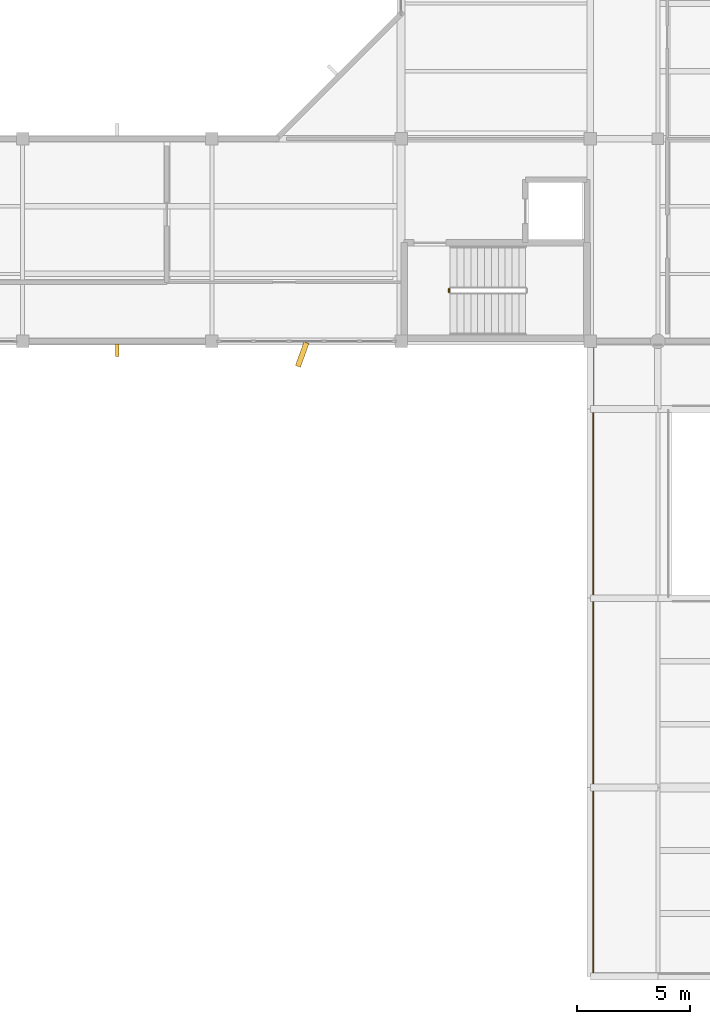
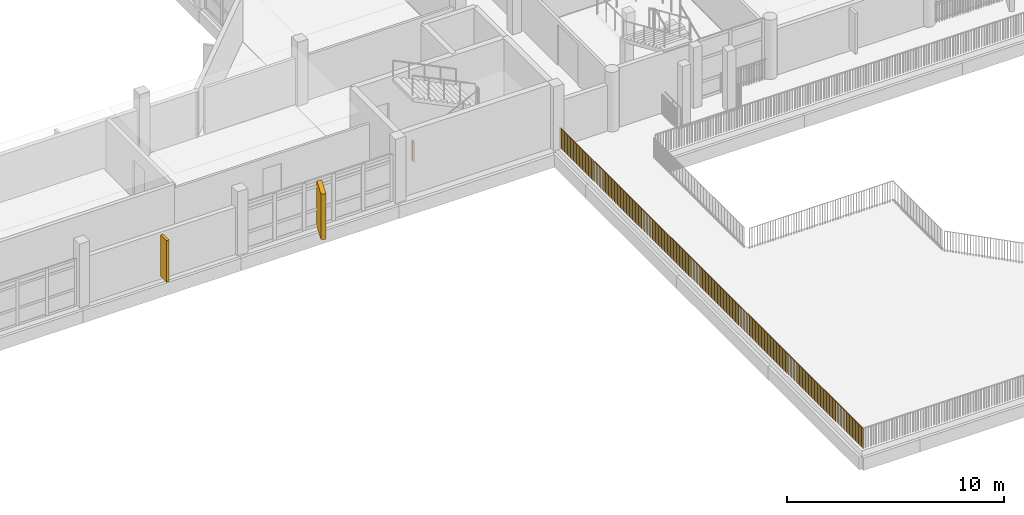
# One storey, part 36 of 51: 2 railings, 1 covering, 1 shading device.
"""IFC4 building model written with IfcOpenShell, lengths in metres."""

from ifc_helpers import new_model, si_unit, direction, frame, origin, origin_2d, place, context, subcontext, project, spatial, rectangle, circle, extrude, material, layer, layer_set, type_object, element, save


model = new_model("IFC4")

# Units and contexts
model_context = context("Model", 3, precision=1e-05, world=origin(), true_north=direction((0.0, 1.0)))
body_context = subcontext(model_context, "Body", "Model", "MODEL_VIEW")
ifc_project = project(units=[si_unit("LENGTHUNIT", "METRE"), si_unit("AREAUNIT", "SQUARE_METRE"), si_unit("VOLUMEUNIT", "CUBIC_METRE"), si_unit("PLANEANGLEUNIT", "RADIAN"), si_unit("MASSUNIT", "GRAM", prefix="KILO")], contexts=[model_context])

# Site, building, storey
site_placement = place(None, origin())
site = spatial("IfcSite", under=ifc_project, at=site_placement, CompositionType="ELEMENT")
building_placement = place(site_placement, origin())
building = spatial("IfcBuilding", under=site, at=building_placement, Name="Vanh Quang Courtyard School", CompositionType="ELEMENT")
storey_placement = place(building_placement, frame((0.0, 0.0, 11.39990234375)))
storey = spatial("IfcBuildingStorey", under=building, at=storey_placement, Name="L03", CompositionType="ELEMENT", Elevation=11.39990234375)

# Covering
ifc_material_1 = material(Name="Board-marked precast concrete C40/50", Category="concrete")
ifc_layer = layer(ifc_material_1, 0.239990234375)
ifc_layer_set = layer_set([ifc_layer], Name="Board-marked precast concrete C40/50")
covering_type = type_object("IfcCoveringType", Name="COV-HOOD-CONC", PredefinedType="CLADDING", material=ifc_layer_set)
covering_placement = place(storey_placement, frame((61.610107421875, 31.81494140625, 0.0), z_axis=(0.0, 0.0, 1.0), x_axis=(-0.340379550213, -0.94028812701, 0.0)))
element("IfcCovering", 1, at=covering_placement, inside=storey, type_object=covering_type, Name="Covering CH-01 (L03)", PredefinedType="CLADDING", context=body_context, shape_type="SweptSolid", body=[
    extrude(rectangle(XDim=1.11669921875, YDim=0.239990234375, at=origin_2d()), origin(), (0.0, 0.0, 1.0), 2.56005859375),
])

# Railings
ifc_material_2 = material(Name="Galvanised painted steel EN 10025-2 S355J2", Category="steel")
railing_type = type_object("IfcRailingType", Name="RAIL-GUARD-1150", PredefinedType="BALUSTRADE", material=ifc_material_2)
railing_1_placement = place(storey_placement, frame((74.5400390625, 4.340087890625, 0.0)))
element("IfcRailing", 2, at=railing_1_placement, inside=storey, type_object=railing_type, Name="Railing GR-01 (L03)", PredefinedType="BALUSTRADE", context=body_context, shape_type="SweptSolid", body=[
    extrude(circle(Radius=0.02392578125, at=origin_2d()), frame((0.0, 0.0, 1.1259765625), z_axis=(0.0, 1.0, 0.0), x_axis=(-1.0, 0.0, 0.0)), (0.0, 0.0, 1.0), 27.910888671875),
    extrude(circle(Radius=0.02099609375, at=origin_2d()), origin(), (0.0, 0.0, 1.0), 1.101806640625),
    extrude(circle(Radius=0.02099609375, at=origin_2d()), frame((0.0, 0.1396484375, 0.0)), (0.0, 0.0, 1.0), 1.101806640625),
    extrude(circle(Radius=0.02099609375, at=origin_2d()), frame((0.0, 0.279052734375, 0.0)), (0.0, 0.0, 1.0), 1.101806640625),
    extrude(circle(Radius=0.02099609375, at=origin_2d()), frame((0.0, 0.418701171875, 0.0)), (0.0, 0.0, 1.0), 1.101806640625),
    extrude(circle(Radius=0.02099609375, at=origin_2d()), frame((0.0, 0.55810546875, 0.0)), (0.0, 0.0, 1.0), 1.101806640625),
    extrude(circle(Radius=0.02099609375, at=origin_2d()), frame((0.0, 0.69775390625, 0.0)), (0.0, 0.0, 1.0), 1.101806640625),
    extrude(circle(Radius=0.02099609375, at=origin_2d()), frame((0.0, 0.83740234375, 0.0)), (0.0, 0.0, 1.0), 1.101806640625),
    extrude(circle(Radius=0.02099609375, at=origin_2d()), frame((0.0, 0.976806640625, 0.0)), (0.0, 0.0, 1.0), 1.101806640625),
    extrude(circle(Radius=0.02099609375, at=origin_2d()), frame((0.0, 1.116455078125, 0.0)), (0.0, 0.0, 1.0), 1.101806640625),
    extrude(circle(Radius=0.02099609375, at=origin_2d()), frame((0.0, 1.256103515625, 0.0)), (0.0, 0.0, 1.0), 1.101806640625),
    extrude(circle(Radius=0.02099609375, at=origin_2d()), frame((0.0, 1.3955078125, 0.0)), (0.0, 0.0, 1.0), 1.101806640625),
    extrude(circle(Radius=0.02099609375, at=origin_2d()), frame((0.0, 1.53515625, 0.0)), (0.0, 0.0, 1.0), 1.101806640625),
    extrude(circle(Radius=0.02099609375, at=origin_2d()), frame((0.0, 1.674560546875, 0.0)), (0.0, 0.0, 1.0), 1.101806640625),
    extrude(circle(Radius=0.02099609375, at=origin_2d()), frame((0.0, 1.814208984375, 0.0)), (0.0, 0.0, 1.0), 1.101806640625),
    extrude(circle(Radius=0.02099609375, at=origin_2d()), frame((0.0, 1.953857421875, 0.0)), (0.0, 0.0, 1.0), 1.101806640625),
    extrude(circle(Radius=0.02099609375, at=origin_2d()), frame((0.0, 2.09326171875, 0.0)), (0.0, 0.0, 1.0), 1.101806640625),
    extrude(circle(Radius=0.02099609375, at=origin_2d()), frame((0.0, 2.23291015625, 0.0)), (0.0, 0.0, 1.0), 1.101806640625),
    extrude(circle(Radius=0.02099609375, at=origin_2d()), frame((0.0, 2.372314453125, 0.0)), (0.0, 0.0, 1.0), 1.101806640625),
    extrude(circle(Radius=0.02099609375, at=origin_2d()), frame((0.0, 2.511962890625, 0.0)), (0.0, 0.0, 1.0), 1.101806640625),
    extrude(circle(Radius=0.02099609375, at=origin_2d()), frame((0.0, 2.651611328125, 0.0)), (0.0, 0.0, 1.0), 1.101806640625),
    extrude(circle(Radius=0.02099609375, at=origin_2d()), frame((0.0, 2.791015625, 0.0)), (0.0, 0.0, 1.0), 1.101806640625),
    extrude(circle(Radius=0.02099609375, at=origin_2d()), frame((0.0, 2.9306640625, 0.0)), (0.0, 0.0, 1.0), 1.101806640625),
    extrude(circle(Radius=0.02099609375, at=origin_2d()), frame((0.0, 3.0703125, 0.0)), (0.0, 0.0, 1.0), 1.101806640625),
    extrude(circle(Radius=0.02099609375, at=origin_2d()), frame((0.0, 3.209716796875, 0.0)), (0.0, 0.0, 1.0), 1.101806640625),
    extrude(circle(Radius=0.02099609375, at=origin_2d()), frame((0.0, 3.349365234375, 0.0)), (0.0, 0.0, 1.0), 1.101806640625),
    extrude(circle(Radius=0.02099609375, at=origin_2d()), frame((0.0, 3.48876953125, 0.0)), (0.0, 0.0, 1.0), 1.101806640625),
    extrude(circle(Radius=0.02099609375, at=origin_2d()), frame((0.0, 3.62841796875, 0.0)), (0.0, 0.0, 1.0), 1.101806640625),
    extrude(circle(Radius=0.02099609375, at=origin_2d()), frame((0.0, 3.76806640625, 0.0)), (0.0, 0.0, 1.0), 1.101806640625),
    extrude(circle(Radius=0.02099609375, at=origin_2d()), frame((0.0, 3.907470703125, 0.0)), (0.0, 0.0, 1.0), 1.101806640625),
    extrude(circle(Radius=0.02099609375, at=origin_2d()), frame((0.0, 4.047119140625, 0.0)), (0.0, 0.0, 1.0), 1.101806640625),
    extrude(circle(Radius=0.02099609375, at=origin_2d()), frame((0.0, 4.1865234375, 0.0)), (0.0, 0.0, 1.0), 1.101806640625),
    extrude(circle(Radius=0.02099609375, at=origin_2d()), frame((0.0, 4.326171875, 0.0)), (0.0, 0.0, 1.0), 1.101806640625),
    extrude(circle(Radius=0.02099609375, at=origin_2d()), frame((0.0, 4.4658203125, 0.0)), (0.0, 0.0, 1.0), 1.101806640625),
    extrude(circle(Radius=0.02099609375, at=origin_2d()), frame((0.0, 4.605224609375, 0.0)), (0.0, 0.0, 1.0), 1.101806640625),
    extrude(circle(Radius=0.02099609375, at=origin_2d()), frame((0.0, 4.744873046875, 0.0)), (0.0, 0.0, 1.0), 1.101806640625),
    extrude(circle(Radius=0.02099609375, at=origin_2d()), frame((0.0, 4.884521484375, 0.0)), (0.0, 0.0, 1.0), 1.101806640625),
    extrude(circle(Radius=0.02099609375, at=origin_2d()), frame((0.0, 5.02392578125, 0.0)), (0.0, 0.0, 1.0), 1.101806640625),
    extrude(circle(Radius=0.02099609375, at=origin_2d()), frame((0.0, 5.16357421875, 0.0)), (0.0, 0.0, 1.0), 1.101806640625),
    extrude(circle(Radius=0.02099609375, at=origin_2d()), frame((0.0, 5.302978515625, 0.0)), (0.0, 0.0, 1.0), 1.101806640625),
    extrude(circle(Radius=0.02099609375, at=origin_2d()), frame((0.0, 5.442626953125, 0.0)), (0.0, 0.0, 1.0), 1.101806640625),
    extrude(circle(Radius=0.02099609375, at=origin_2d()), frame((0.0, 5.582275390625, 0.0)), (0.0, 0.0, 1.0), 1.101806640625),
    extrude(circle(Radius=0.02099609375, at=origin_2d()), frame((0.0, 5.7216796875, 0.0)), (0.0, 0.0, 1.0), 1.101806640625),
    extrude(circle(Radius=0.02099609375, at=origin_2d()), frame((0.0, 5.861328125, 0.0)), (0.0, 0.0, 1.0), 1.101806640625),
    extrude(circle(Radius=0.02099609375, at=origin_2d()), frame((0.0, 6.000732421875, 0.0)), (0.0, 0.0, 1.0), 1.101806640625),
    extrude(circle(Radius=0.02099609375, at=origin_2d()), frame((0.0, 6.140380859375, 0.0)), (0.0, 0.0, 1.0), 1.101806640625),
    extrude(circle(Radius=0.02099609375, at=origin_2d()), frame((0.0, 6.280029296875, 0.0)), (0.0, 0.0, 1.0), 1.101806640625),
    extrude(circle(Radius=0.02099609375, at=origin_2d()), frame((0.0, 6.41943359375, 0.0)), (0.0, 0.0, 1.0), 1.101806640625),
    extrude(circle(Radius=0.02099609375, at=origin_2d()), frame((0.0, 6.55908203125, 0.0)), (0.0, 0.0, 1.0), 1.101806640625),
    extrude(circle(Radius=0.02099609375, at=origin_2d()), frame((0.0, 6.69873046875, 0.0)), (0.0, 0.0, 1.0), 1.101806640625),
    extrude(circle(Radius=0.02099609375, at=origin_2d()), frame((0.0, 6.838134765625, 0.0)), (0.0, 0.0, 1.0), 1.101806640625),
    extrude(circle(Radius=0.02099609375, at=origin_2d()), frame((0.0, 6.977783203125, 0.0)), (0.0, 0.0, 1.0), 1.101806640625),
    extrude(circle(Radius=0.02099609375, at=origin_2d()), frame((0.0, 7.1171875, 0.0)), (0.0, 0.0, 1.0), 1.101806640625),
    extrude(circle(Radius=0.02099609375, at=origin_2d()), frame((0.0, 7.2568359375, 0.0)), (0.0, 0.0, 1.0), 1.101806640625),
    extrude(circle(Radius=0.02099609375, at=origin_2d()), frame((0.0, 7.396484375, 0.0)), (0.0, 0.0, 1.0), 1.101806640625),
    extrude(circle(Radius=0.02099609375, at=origin_2d()), frame((0.0, 7.535888671875, 0.0)), (0.0, 0.0, 1.0), 1.101806640625),
    extrude(circle(Radius=0.02099609375, at=origin_2d()), frame((0.0, 7.675537109375, 0.0)), (0.0, 0.0, 1.0), 1.101806640625),
    extrude(circle(Radius=0.02099609375, at=origin_2d()), frame((0.0, 7.81494140625, 0.0)), (0.0, 0.0, 1.0), 1.101806640625),
    extrude(circle(Radius=0.02099609375, at=origin_2d()), frame((0.0, 7.95458984375, 0.0)), (0.0, 0.0, 1.0), 1.101806640625),
    extrude(circle(Radius=0.02099609375, at=origin_2d()), frame((0.0, 8.09423828125, 0.0)), (0.0, 0.0, 1.0), 1.101806640625),
    extrude(circle(Radius=0.02099609375, at=origin_2d()), frame((0.0, 8.233642578125, 0.0)), (0.0, 0.0, 1.0), 1.101806640625),
    extrude(circle(Radius=0.02099609375, at=origin_2d()), frame((0.0, 8.373291015625, 0.0)), (0.0, 0.0, 1.0), 1.101806640625),
    extrude(circle(Radius=0.02099609375, at=origin_2d()), frame((0.0, 8.512939453125, 0.0)), (0.0, 0.0, 1.0), 1.101806640625),
    extrude(circle(Radius=0.02099609375, at=origin_2d()), frame((0.0, 8.65234375, 0.0)), (0.0, 0.0, 1.0), 1.101806640625),
    extrude(circle(Radius=0.02099609375, at=origin_2d()), frame((0.0, 8.7919921875, 0.0)), (0.0, 0.0, 1.0), 1.101806640625),
    extrude(circle(Radius=0.02099609375, at=origin_2d()), frame((0.0, 8.931396484375, 0.0)), (0.0, 0.0, 1.0), 1.101806640625),
    extrude(circle(Radius=0.02099609375, at=origin_2d()), frame((0.0, 9.071044921875, 0.0)), (0.0, 0.0, 1.0), 1.101806640625),
    extrude(circle(Radius=0.02099609375, at=origin_2d()), frame((0.0, 9.210693359375, 0.0)), (0.0, 0.0, 1.0), 1.101806640625),
    extrude(circle(Radius=0.02099609375, at=origin_2d()), frame((0.0, 9.35009765625, 0.0)), (0.0, 0.0, 1.0), 1.101806640625),
    extrude(circle(Radius=0.02099609375, at=origin_2d()), frame((0.0, 9.48974609375, 0.0)), (0.0, 0.0, 1.0), 1.101806640625),
    extrude(circle(Radius=0.02099609375, at=origin_2d()), frame((0.0, 9.629150390625, 0.0)), (0.0, 0.0, 1.0), 1.101806640625),
    extrude(circle(Radius=0.02099609375, at=origin_2d()), frame((0.0, 9.768798828125, 0.0)), (0.0, 0.0, 1.0), 1.101806640625),
    extrude(circle(Radius=0.02099609375, at=origin_2d()), frame((0.0, 9.908447265625, 0.0)), (0.0, 0.0, 1.0), 1.101806640625),
    extrude(circle(Radius=0.02099609375, at=origin_2d()), frame((0.0, 10.0478515625, 0.0)), (0.0, 0.0, 1.0), 1.101806640625),
    extrude(circle(Radius=0.02099609375, at=origin_2d()), frame((0.0, 10.1875, 0.0)), (0.0, 0.0, 1.0), 1.101806640625),
    extrude(circle(Radius=0.02099609375, at=origin_2d()), frame((0.0, 10.3271484375, 0.0)), (0.0, 0.0, 1.0), 1.101806640625),
    extrude(circle(Radius=0.02099609375, at=origin_2d()), frame((0.0, 10.466552734375, 0.0)), (0.0, 0.0, 1.0), 1.101806640625),
    extrude(circle(Radius=0.02099609375, at=origin_2d()), frame((0.0, 10.606201171875, 0.0)), (0.0, 0.0, 1.0), 1.101806640625),
    extrude(circle(Radius=0.02099609375, at=origin_2d()), frame((0.0, 10.74560546875, 0.0)), (0.0, 0.0, 1.0), 1.101806640625),
    extrude(circle(Radius=0.02099609375, at=origin_2d()), frame((0.0, 10.88525390625, 0.0)), (0.0, 0.0, 1.0), 1.101806640625),
    extrude(circle(Radius=0.02099609375, at=origin_2d()), frame((0.0, 11.02490234375, 0.0)), (0.0, 0.0, 1.0), 1.101806640625),
    extrude(circle(Radius=0.02099609375, at=origin_2d()), frame((0.0, 11.164306640625, 0.0)), (0.0, 0.0, 1.0), 1.101806640625),
    extrude(circle(Radius=0.02099609375, at=origin_2d()), frame((0.0, 11.303955078125, 0.0)), (0.0, 0.0, 1.0), 1.101806640625),
    extrude(circle(Radius=0.02099609375, at=origin_2d()), frame((0.0, 11.443359375, 0.0)), (0.0, 0.0, 1.0), 1.101806640625),
    extrude(circle(Radius=0.02099609375, at=origin_2d()), frame((0.0, 11.5830078125, 0.0)), (0.0, 0.0, 1.0), 1.101806640625),
    extrude(circle(Radius=0.02099609375, at=origin_2d()), frame((0.0, 11.72265625, 0.0)), (0.0, 0.0, 1.0), 1.101806640625),
    extrude(circle(Radius=0.02099609375, at=origin_2d()), frame((0.0, 11.862060546875, 0.0)), (0.0, 0.0, 1.0), 1.101806640625),
    extrude(circle(Radius=0.02099609375, at=origin_2d()), frame((0.0, 12.001708984375, 0.0)), (0.0, 0.0, 1.0), 1.101806640625),
    extrude(circle(Radius=0.02099609375, at=origin_2d()), frame((0.0, 12.141357421875, 0.0)), (0.0, 0.0, 1.0), 1.101806640625),
    extrude(circle(Radius=0.02099609375, at=origin_2d()), frame((0.0, 12.28076171875, 0.0)), (0.0, 0.0, 1.0), 1.101806640625),
    extrude(circle(Radius=0.02099609375, at=origin_2d()), frame((0.0, 12.42041015625, 0.0)), (0.0, 0.0, 1.0), 1.101806640625),
    extrude(circle(Radius=0.02099609375, at=origin_2d()), frame((0.0, 12.559814453125, 0.0)), (0.0, 0.0, 1.0), 1.101806640625),
    extrude(circle(Radius=0.02099609375, at=origin_2d()), frame((0.0, 12.699462890625, 0.0)), (0.0, 0.0, 1.0), 1.101806640625),
    extrude(circle(Radius=0.02099609375, at=origin_2d()), frame((0.0, 12.839111328125, 0.0)), (0.0, 0.0, 1.0), 1.101806640625),
    extrude(circle(Radius=0.02099609375, at=origin_2d()), frame((0.0, 12.978515625, 0.0)), (0.0, 0.0, 1.0), 1.101806640625),
    extrude(circle(Radius=0.02099609375, at=origin_2d()), frame((0.0, 13.1181640625, 0.0)), (0.0, 0.0, 1.0), 1.101806640625),
    extrude(circle(Radius=0.02099609375, at=origin_2d()), frame((0.0, 13.257568359375, 0.0)), (0.0, 0.0, 1.0), 1.101806640625),
    extrude(circle(Radius=0.02099609375, at=origin_2d()), frame((0.0, 13.397216796875, 0.0)), (0.0, 0.0, 1.0), 1.101806640625),
    extrude(circle(Radius=0.02099609375, at=origin_2d()), frame((0.0, 13.536865234375, 0.0)), (0.0, 0.0, 1.0), 1.101806640625),
    extrude(circle(Radius=0.02099609375, at=origin_2d()), frame((0.0, 13.67626953125, 0.0)), (0.0, 0.0, 1.0), 1.101806640625),
    extrude(circle(Radius=0.02099609375, at=origin_2d()), frame((0.0, 13.81591796875, 0.0)), (0.0, 0.0, 1.0), 1.101806640625),
    extrude(circle(Radius=0.02099609375, at=origin_2d()), frame((0.0, 13.95556640625, 0.0)), (0.0, 0.0, 1.0), 1.101806640625),
    extrude(circle(Radius=0.02099609375, at=origin_2d()), frame((0.0, 14.094970703125, 0.0)), (0.0, 0.0, 1.0), 1.101806640625),
    extrude(circle(Radius=0.02099609375, at=origin_2d()), frame((0.0, 14.234619140625, 0.0)), (0.0, 0.0, 1.0), 1.101806640625),
    extrude(circle(Radius=0.02099609375, at=origin_2d()), frame((0.0, 14.3740234375, 0.0)), (0.0, 0.0, 1.0), 1.101806640625),
    extrude(circle(Radius=0.02099609375, at=origin_2d()), frame((0.0, 14.513671875, 0.0)), (0.0, 0.0, 1.0), 1.101806640625),
    extrude(circle(Radius=0.02099609375, at=origin_2d()), frame((0.0, 14.6533203125, 0.0)), (0.0, 0.0, 1.0), 1.101806640625),
    extrude(circle(Radius=0.02099609375, at=origin_2d()), frame((0.0, 14.792724609375, 0.0)), (0.0, 0.0, 1.0), 1.101806640625),
    extrude(circle(Radius=0.02099609375, at=origin_2d()), frame((0.0, 14.932373046875, 0.0)), (0.0, 0.0, 1.0), 1.101806640625),
    extrude(circle(Radius=0.02099609375, at=origin_2d()), frame((0.0, 15.07177734375, 0.0)), (0.0, 0.0, 1.0), 1.101806640625),
    extrude(circle(Radius=0.02099609375, at=origin_2d()), frame((0.0, 15.21142578125, 0.0)), (0.0, 0.0, 1.0), 1.101806640625),
    extrude(circle(Radius=0.02099609375, at=origin_2d()), frame((0.0, 15.35107421875, 0.0)), (0.0, 0.0, 1.0), 1.101806640625),
    extrude(circle(Radius=0.02099609375, at=origin_2d()), frame((0.0, 15.490478515625, 0.0)), (0.0, 0.0, 1.0), 1.101806640625),
    extrude(circle(Radius=0.02099609375, at=origin_2d()), frame((0.0, 15.630126953125, 0.0)), (0.0, 0.0, 1.0), 1.101806640625),
    extrude(circle(Radius=0.02099609375, at=origin_2d()), frame((0.0, 15.76953125, 0.0)), (0.0, 0.0, 1.0), 1.101806640625),
    extrude(circle(Radius=0.02099609375, at=origin_2d()), frame((0.0, 15.9091796875, 0.0)), (0.0, 0.0, 1.0), 1.101806640625),
    extrude(circle(Radius=0.02099609375, at=origin_2d()), frame((0.0, 16.048828125, 0.0)), (0.0, 0.0, 1.0), 1.101806640625),
    extrude(circle(Radius=0.02099609375, at=origin_2d()), frame((0.0, 16.188232421875, 0.0)), (0.0, 0.0, 1.0), 1.101806640625),
    extrude(circle(Radius=0.02099609375, at=origin_2d()), frame((0.0, 16.327880859375, 0.0)), (0.0, 0.0, 1.0), 1.101806640625),
    extrude(circle(Radius=0.02099609375, at=origin_2d()), frame((0.0, 16.467529296875, 0.0)), (0.0, 0.0, 1.0), 1.101806640625),
    extrude(circle(Radius=0.02099609375, at=origin_2d()), frame((0.0, 16.60693359375, 0.0)), (0.0, 0.0, 1.0), 1.101806640625),
    extrude(circle(Radius=0.02099609375, at=origin_2d()), frame((0.0, 16.74658203125, 0.0)), (0.0, 0.0, 1.0), 1.101806640625),
    extrude(circle(Radius=0.02099609375, at=origin_2d()), frame((0.0, 16.885986328125, 0.0)), (0.0, 0.0, 1.0), 1.101806640625),
    extrude(circle(Radius=0.02099609375, at=origin_2d()), frame((0.0, 17.025634765625, 0.0)), (0.0, 0.0, 1.0), 1.101806640625),
    extrude(circle(Radius=0.02099609375, at=origin_2d()), frame((0.0, 17.165283203125, 0.0)), (0.0, 0.0, 1.0), 1.101806640625),
    extrude(circle(Radius=0.02099609375, at=origin_2d()), frame((0.0, 17.3046875, 0.0)), (0.0, 0.0, 1.0), 1.101806640625),
    extrude(circle(Radius=0.02099609375, at=origin_2d()), frame((0.0, 17.4443359375, 0.0)), (0.0, 0.0, 1.0), 1.101806640625),
    extrude(circle(Radius=0.02099609375, at=origin_2d()), frame((0.0, 17.583740234375, 0.0)), (0.0, 0.0, 1.0), 1.101806640625),
    extrude(circle(Radius=0.02099609375, at=origin_2d()), frame((0.0, 17.723388671875, 0.0)), (0.0, 0.0, 1.0), 1.101806640625),
    extrude(circle(Radius=0.02099609375, at=origin_2d()), frame((0.0, 17.863037109375, 0.0)), (0.0, 0.0, 1.0), 1.101806640625),
    extrude(circle(Radius=0.02099609375, at=origin_2d()), frame((0.0, 18.00244140625, 0.0)), (0.0, 0.0, 1.0), 1.101806640625),
    extrude(circle(Radius=0.02099609375, at=origin_2d()), frame((0.0, 18.14208984375, 0.0)), (0.0, 0.0, 1.0), 1.101806640625),
    extrude(circle(Radius=0.02099609375, at=origin_2d()), frame((0.0, 18.28173828125, 0.0)), (0.0, 0.0, 1.0), 1.101806640625),
    extrude(circle(Radius=0.02099609375, at=origin_2d()), frame((0.0, 18.421142578125, 0.0)), (0.0, 0.0, 1.0), 1.101806640625),
    extrude(circle(Radius=0.02099609375, at=origin_2d()), frame((0.0, 18.560791015625, 0.0)), (0.0, 0.0, 1.0), 1.101806640625),
    extrude(circle(Radius=0.02099609375, at=origin_2d()), frame((0.0, 18.7001953125, 0.0)), (0.0, 0.0, 1.0), 1.101806640625),
    extrude(circle(Radius=0.02099609375, at=origin_2d()), frame((0.0, 18.83984375, 0.0)), (0.0, 0.0, 1.0), 1.101806640625),
    extrude(circle(Radius=0.02099609375, at=origin_2d()), frame((0.0, 18.9794921875, 0.0)), (0.0, 0.0, 1.0), 1.101806640625),
    extrude(circle(Radius=0.02099609375, at=origin_2d()), frame((0.0, 19.118896484375, 0.0)), (0.0, 0.0, 1.0), 1.101806640625),
    extrude(circle(Radius=0.02099609375, at=origin_2d()), frame((0.0, 19.258544921875, 0.0)), (0.0, 0.0, 1.0), 1.101806640625),
    extrude(circle(Radius=0.02099609375, at=origin_2d()), frame((0.0, 19.39794921875, 0.0)), (0.0, 0.0, 1.0), 1.101806640625),
    extrude(circle(Radius=0.02099609375, at=origin_2d()), frame((0.0, 19.53759765625, 0.0)), (0.0, 0.0, 1.0), 1.101806640625),
    extrude(circle(Radius=0.02099609375, at=origin_2d()), frame((0.0, 19.67724609375, 0.0)), (0.0, 0.0, 1.0), 1.101806640625),
    extrude(circle(Radius=0.02099609375, at=origin_2d()), frame((0.0, 19.816650390625, 0.0)), (0.0, 0.0, 1.0), 1.101806640625),
    extrude(circle(Radius=0.02099609375, at=origin_2d()), frame((0.0, 19.956298828125, 0.0)), (0.0, 0.0, 1.0), 1.101806640625),
    extrude(circle(Radius=0.02099609375, at=origin_2d()), frame((0.0, 20.095947265625, 0.0)), (0.0, 0.0, 1.0), 1.101806640625),
    extrude(circle(Radius=0.02099609375, at=origin_2d()), frame((0.0, 20.2353515625, 0.0)), (0.0, 0.0, 1.0), 1.101806640625),
    extrude(circle(Radius=0.02099609375, at=origin_2d()), frame((0.0, 20.375, 0.0)), (0.0, 0.0, 1.0), 1.101806640625),
    extrude(circle(Radius=0.02099609375, at=origin_2d()), frame((0.0, 20.514404296875, 0.0)), (0.0, 0.0, 1.0), 1.101806640625),
    extrude(circle(Radius=0.02099609375, at=origin_2d()), frame((0.0, 20.654052734375, 0.0)), (0.0, 0.0, 1.0), 1.101806640625),
    extrude(circle(Radius=0.02099609375, at=origin_2d()), frame((0.0, 20.793701171875, 0.0)), (0.0, 0.0, 1.0), 1.101806640625),
    extrude(circle(Radius=0.02099609375, at=origin_2d()), frame((0.0, 20.93310546875, 0.0)), (0.0, 0.0, 1.0), 1.101806640625),
    extrude(circle(Radius=0.02099609375, at=origin_2d()), frame((0.0, 21.07275390625, 0.0)), (0.0, 0.0, 1.0), 1.101806640625),
    extrude(circle(Radius=0.02099609375, at=origin_2d()), frame((0.0, 21.212158203125, 0.0)), (0.0, 0.0, 1.0), 1.101806640625),
    extrude(circle(Radius=0.02099609375, at=origin_2d()), frame((0.0, 21.351806640625, 0.0)), (0.0, 0.0, 1.0), 1.101806640625),
    extrude(circle(Radius=0.02099609375, at=origin_2d()), frame((0.0, 21.491455078125, 0.0)), (0.0, 0.0, 1.0), 1.101806640625),
    extrude(circle(Radius=0.02099609375, at=origin_2d()), frame((0.0, 21.630859375, 0.0)), (0.0, 0.0, 1.0), 1.101806640625),
    extrude(circle(Radius=0.02099609375, at=origin_2d()), frame((0.0, 21.7705078125, 0.0)), (0.0, 0.0, 1.0), 1.101806640625),
    extrude(circle(Radius=0.02099609375, at=origin_2d()), frame((0.0, 21.91015625, 0.0)), (0.0, 0.0, 1.0), 1.101806640625),
    extrude(circle(Radius=0.02099609375, at=origin_2d()), frame((0.0, 22.049560546875, 0.0)), (0.0, 0.0, 1.0), 1.101806640625),
    extrude(circle(Radius=0.02099609375, at=origin_2d()), frame((0.0, 22.189208984375, 0.0)), (0.0, 0.0, 1.0), 1.101806640625),
    extrude(circle(Radius=0.02099609375, at=origin_2d()), frame((0.0, 22.32861328125, 0.0)), (0.0, 0.0, 1.0), 1.101806640625),
    extrude(circle(Radius=0.02099609375, at=origin_2d()), frame((0.0, 22.46826171875, 0.0)), (0.0, 0.0, 1.0), 1.101806640625),
    extrude(circle(Radius=0.02099609375, at=origin_2d()), frame((0.0, 22.60791015625, 0.0)), (0.0, 0.0, 1.0), 1.101806640625),
    extrude(circle(Radius=0.02099609375, at=origin_2d()), frame((0.0, 22.747314453125, 0.0)), (0.0, 0.0, 1.0), 1.101806640625),
    extrude(circle(Radius=0.02099609375, at=origin_2d()), frame((0.0, 22.886962890625, 0.0)), (0.0, 0.0, 1.0), 1.101806640625),
    extrude(circle(Radius=0.02099609375, at=origin_2d()), frame((0.0, 23.0263671875, 0.0)), (0.0, 0.0, 1.0), 1.101806640625),
    extrude(circle(Radius=0.02099609375, at=origin_2d()), frame((0.0, 23.166015625, 0.0)), (0.0, 0.0, 1.0), 1.101806640625),
    extrude(circle(Radius=0.02099609375, at=origin_2d()), frame((0.0, 23.3056640625, 0.0)), (0.0, 0.0, 1.0), 1.101806640625),
    extrude(circle(Radius=0.02099609375, at=origin_2d()), frame((0.0, 23.445068359375, 0.0)), (0.0, 0.0, 1.0), 1.101806640625),
    extrude(circle(Radius=0.02099609375, at=origin_2d()), frame((0.0, 23.584716796875, 0.0)), (0.0, 0.0, 1.0), 1.101806640625),
    extrude(circle(Radius=0.02099609375, at=origin_2d()), frame((0.0, 23.724365234375, 0.0)), (0.0, 0.0, 1.0), 1.101806640625),
    extrude(circle(Radius=0.02099609375, at=origin_2d()), frame((0.0, 23.86376953125, 0.0)), (0.0, 0.0, 1.0), 1.101806640625),
    extrude(circle(Radius=0.02099609375, at=origin_2d()), frame((0.0, 24.00341796875, 0.0)), (0.0, 0.0, 1.0), 1.101806640625),
    extrude(circle(Radius=0.02099609375, at=origin_2d()), frame((0.0, 24.142822265625, 0.0)), (0.0, 0.0, 1.0), 1.101806640625),
    extrude(circle(Radius=0.02099609375, at=origin_2d()), frame((0.0, 24.282470703125, 0.0)), (0.0, 0.0, 1.0), 1.101806640625),
    extrude(circle(Radius=0.02099609375, at=origin_2d()), frame((0.0, 24.422119140625, 0.0)), (0.0, 0.0, 1.0), 1.101806640625),
    extrude(circle(Radius=0.02099609375, at=origin_2d()), frame((0.0, 24.5615234375, 0.0)), (0.0, 0.0, 1.0), 1.101806640625),
    extrude(circle(Radius=0.02099609375, at=origin_2d()), frame((0.0, 24.701171875, 0.0)), (0.0, 0.0, 1.0), 1.101806640625),
    extrude(circle(Radius=0.02099609375, at=origin_2d()), frame((0.0, 24.840576171875, 0.0)), (0.0, 0.0, 1.0), 1.101806640625),
    extrude(circle(Radius=0.02099609375, at=origin_2d()), frame((0.0, 24.980224609375, 0.0)), (0.0, 0.0, 1.0), 1.101806640625),
    extrude(circle(Radius=0.02099609375, at=origin_2d()), frame((0.0, 25.119873046875, 0.0)), (0.0, 0.0, 1.0), 1.101806640625),
    extrude(circle(Radius=0.02099609375, at=origin_2d()), frame((0.0, 25.25927734375, 0.0)), (0.0, 0.0, 1.0), 1.101806640625),
    extrude(circle(Radius=0.02099609375, at=origin_2d()), frame((0.0, 25.39892578125, 0.0)), (0.0, 0.0, 1.0), 1.101806640625),
    extrude(circle(Radius=0.02099609375, at=origin_2d()), frame((0.0, 25.53857421875, 0.0)), (0.0, 0.0, 1.0), 1.101806640625),
    extrude(circle(Radius=0.02099609375, at=origin_2d()), frame((0.0, 25.677978515625, 0.0)), (0.0, 0.0, 1.0), 1.101806640625),
    extrude(circle(Radius=0.02099609375, at=origin_2d()), frame((0.0, 25.817626953125, 0.0)), (0.0, 0.0, 1.0), 1.101806640625),
    extrude(circle(Radius=0.02099609375, at=origin_2d()), frame((0.0, 25.95703125, 0.0)), (0.0, 0.0, 1.0), 1.101806640625),
    extrude(circle(Radius=0.02099609375, at=origin_2d()), frame((0.0, 26.0966796875, 0.0)), (0.0, 0.0, 1.0), 1.101806640625),
    extrude(circle(Radius=0.02099609375, at=origin_2d()), frame((0.0, 26.236328125, 0.0)), (0.0, 0.0, 1.0), 1.101806640625),
    extrude(circle(Radius=0.02099609375, at=origin_2d()), frame((0.0, 26.375732421875, 0.0)), (0.0, 0.0, 1.0), 1.101806640625),
    extrude(circle(Radius=0.02099609375, at=origin_2d()), frame((0.0, 26.515380859375, 0.0)), (0.0, 0.0, 1.0), 1.101806640625),
    extrude(circle(Radius=0.02099609375, at=origin_2d()), frame((0.0, 26.65478515625, 0.0)), (0.0, 0.0, 1.0), 1.101806640625),
    extrude(circle(Radius=0.02099609375, at=origin_2d()), frame((0.0, 26.79443359375, 0.0)), (0.0, 0.0, 1.0), 1.101806640625),
    extrude(circle(Radius=0.02099609375, at=origin_2d()), frame((0.0, 26.93408203125, 0.0)), (0.0, 0.0, 1.0), 1.101806640625),
    extrude(circle(Radius=0.02099609375, at=origin_2d()), frame((0.0, 27.073486328125, 0.0)), (0.0, 0.0, 1.0), 1.101806640625),
    extrude(circle(Radius=0.02099609375, at=origin_2d()), frame((0.0, 27.213134765625, 0.0)), (0.0, 0.0, 1.0), 1.101806640625),
    extrude(circle(Radius=0.02099609375, at=origin_2d()), frame((0.0, 27.352783203125, 0.0)), (0.0, 0.0, 1.0), 1.101806640625),
    extrude(circle(Radius=0.02099609375, at=origin_2d()), frame((0.0, 27.4921875, 0.0)), (0.0, 0.0, 1.0), 1.101806640625),
    extrude(circle(Radius=0.02099609375, at=origin_2d()), frame((0.0, 27.6318359375, 0.0)), (0.0, 0.0, 1.0), 1.101806640625),
    extrude(circle(Radius=0.02099609375, at=origin_2d()), frame((0.0, 27.771240234375, 0.0)), (0.0, 0.0, 1.0), 1.101806640625),
    extrude(circle(Radius=0.02099609375, at=origin_2d()), frame((0.0, 27.910888671875, 0.0)), (0.0, 0.0, 1.0), 1.101806640625),
])
railing_2_placement = place(storey_placement, frame((68.1298828125, 34.580078125, 0.0)))
element("IfcRailing", 3, at=railing_2_placement, inside=storey, type_object=railing_type, Name="L03 ST-04 stair guard 4", PredefinedType="BALUSTRADE", context=body_context, shape_type="SweptSolid", body=[
    extrude(circle(Radius=0.02392578125, at=origin_2d()), frame((0.0, 0.0, 1.1259765625), z_axis=(0.0, 1.0, 0.0), x_axis=(-1.0, 0.0, 0.0)), (0.0, 0.0, 1.0), 0.159912109375),
    extrude(circle(Radius=0.02099609375, at=origin_2d()), origin(), (0.0, 0.0, 1.0), 1.101806640625),
    extrude(circle(Radius=0.02099609375, at=origin_2d()), frame((0.0, 0.159912109375, 0.0)), (0.0, 0.0, 1.0), 1.101806640625),
])

# Shading device
shading_device_type = type_object("IfcShadingDeviceType", Name="SHD-FIN-CONCRETE", PredefinedType="USERDEFINED", material=ifc_material_1)
shading_device_placement = place(storey_placement, frame((53.39990234375, 32.0048828125, 0.14990234375), z_axis=(0.0, 0.0, 1.0), x_axis=(-1.0, 0.0, 0.0)))
element("IfcShadingDevice", 4, at=shading_device_placement, inside=storey, type_object=shading_device_type, Name="Solar Shading SH-02 (L03)", ObjectType="Solar Shading SH-02 (L03)", PredefinedType="USERDEFINED", context=body_context, shape_type="SweptSolid", body=[
    extrude(rectangle(XDim=0.139892578125, YDim=0.550048828125, at=origin_2d()), origin(), (0.0, 0.0, 1.0), 2.340087890625),
])

save(model, "model.ifc")
